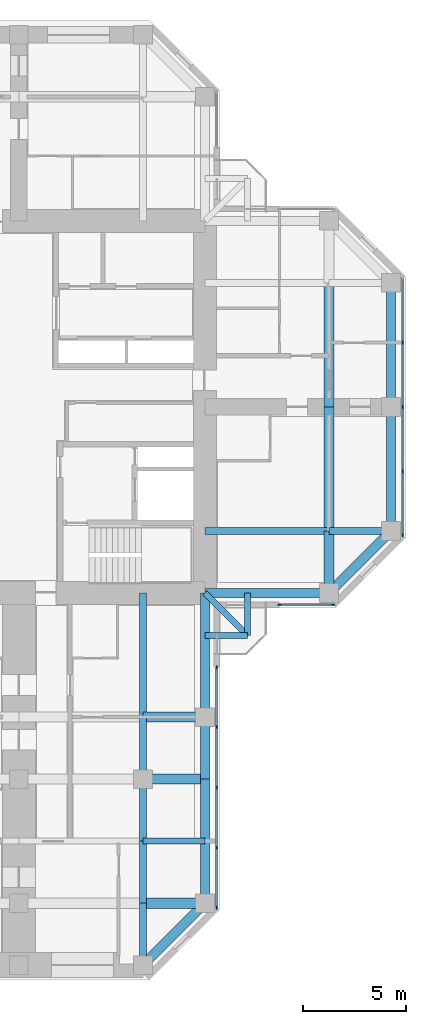
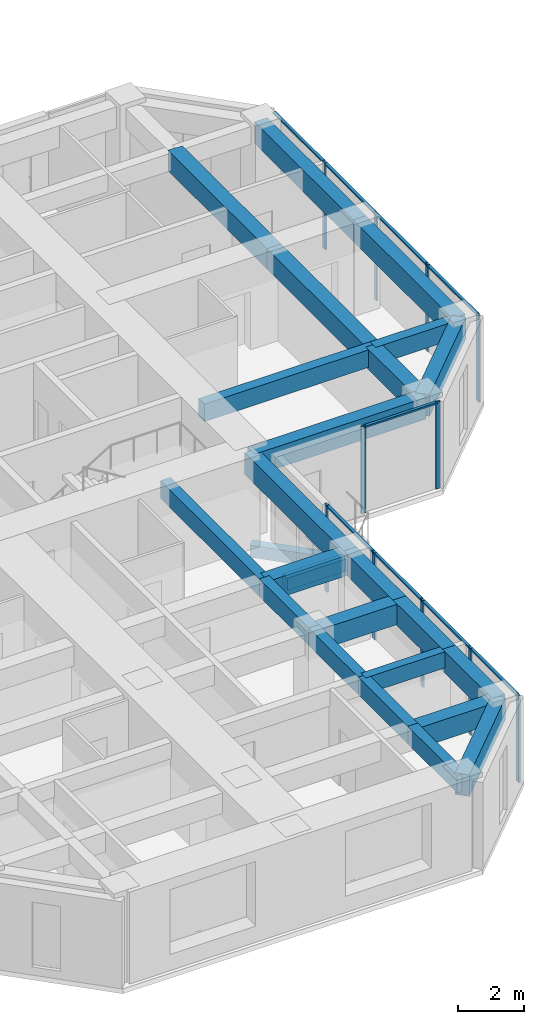
# One storey, part 4 of 14: 26 beams, 20 members, 3 elements without a shape of their own.
"""IFC4 building model written with IfcOpenShell, lengths in metres."""

from ifc_helpers import new_model, si_unit, direction, frame, origin, origin_2d, place, context, subcontext, project, spatial, rectangle, extrude, material, material_profile, profile_set, type_object, element, aggregate, save


model = new_model("IFC4")

# Units and contexts
model_context = context("Model", 3, precision=1e-05, world=origin(), true_north=direction((0.0, 1.0)))
body_context = subcontext(model_context, "Body", "Model", "MODEL_VIEW")
ifc_project = project(units=[si_unit("LENGTHUNIT", "METRE"), si_unit("AREAUNIT", "SQUARE_METRE"), si_unit("VOLUMEUNIT", "CUBIC_METRE"), si_unit("PLANEANGLEUNIT", "RADIAN"), si_unit("MASSUNIT", "GRAM", prefix="KILO")], contexts=[model_context])

# Site, building, storey
site_placement = place(None, origin())
site = spatial("IfcSite", under=ifc_project, at=site_placement, CompositionType="ELEMENT")
building_placement = place(site_placement, origin())
building = spatial("IfcBuilding", under=site, at=building_placement, Name="Torre Cruceta", CompositionType="ELEMENT")
storey_placement = place(building_placement, frame((0.0, 0.0, 203.5)))
storey = spatial("IfcBuildingStorey", under=building, at=storey_placement, Name="L51", CompositionType="ELEMENT", Elevation=203.5)

# Beams
ifc_material_1 = material(Name="Concrete G60 (fck 60 MPa)", Category="concrete")
ifc_material_profile_1 = material_profile(ifc_material_1, rectangle(XDim=0.300048828125, YDim=0.449951171875, at=origin_2d()), Name="RC 300X450")
ifc_profile_set_1 = profile_set([ifc_material_profile_1], Name="Concrete G60 (fck 60 MPa)")
beam_type_1 = type_object("IfcBeamType", Name="BALCONY CANTILEVER BEAM RC 300X450", PredefinedType="BEAM", material=ifc_profile_set_1)
beam_1_placement = place(storey_placement, frame((9.0, -9.0, -0.405029296875), z_axis=(0.707106781187, -0.707106781187, 0.0), x_axis=(0.707106781187, 0.707106781187, 0.0)))
element("IfcBeam", 1, at=beam_1_placement, inside=storey, type_object=beam_type_1, Name="BB1 balcony beam L51 S", PredefinedType="BEAM", context=body_context, shape_type="SweptSolid", body=[
    extrude(rectangle(XDim=0.300048828125, YDim=0.449951171875, at=origin_2d()), origin(), (0.0, 0.0, 1.0), 2.89990234375),
])
for number, where, z_axis, x_axis, name in (
    (2, (11.050537109375, -9.0, -0.405029296875), (0.0, -1.0, 0.0), (1.0, 0.0, 0.0), "BB1 balcony edge beam L51 S-X"),
    (3, (9.0, -11.050537109375, -0.405029296875), (1.0, 0.0, 0.0), (0.0, 1.0, 0.0), "BB1 balcony edge beam L51 S-Y"),
):
    element("IfcBeam", number, at=place(storey_placement, frame(where, z_axis=z_axis, x_axis=x_axis)), inside=storey, type_object=beam_type_1, Name=name, PredefinedType="BEAM", context=body_context, shape_type="SweptSolid", body=[
        extrude(rectangle(XDim=0.300048828125, YDim=0.449951171875, at=origin_2d()), origin(), (0.0, 0.0, 1.0), 2.050537109375),
    ])
ifc_material_2 = material(Name="Concrete G60 (fck 60 MPa)", Category="concrete")
ifc_material_profile_2 = material_profile(ifc_material_2, rectangle(XDim=0.35009765625, YDim=0.64990234375, at=origin_2d()), Name="RC 350X650")
ifc_profile_set_2 = profile_set([ifc_material_profile_2], Name="Concrete G60 (fck 60 MPa)")
beam_type_2 = type_object("IfcBeamType", Name="COLUMN LINE BEAM RC 350X650", PredefinedType="BEAM", material=ifc_profile_set_2)
beam_2_placement = place(storey_placement, frame((9.0, -6.0, 2.89501953125), z_axis=(1.0, 0.0, 0.0), x_axis=(0.0, 1.0, 0.0)))
element("IfcBeam", 4, at=beam_2_placement, inside=storey, type_object=beam_type_2, Name="LB7 L51 E col- 1", PredefinedType="BEAM", context=body_context, shape_type="SweptSolid", body=[
    extrude(rectangle(XDim=0.35009765625, YDim=0.64990234375, at=origin_2d()), origin(), (0.0, 0.0, 1.0), 6.0),
])
beam_3_placement = place(storey_placement, frame((15.0, -6.0, 2.89501953125), z_axis=(1.0, 0.0, 0.0), x_axis=(0.0, 1.0, 0.0)))
element("IfcBeam", 5, at=beam_3_placement, inside=storey, type_object=beam_type_2, Name="LB7 L51 E col- 2", PredefinedType="BEAM", context=body_context, shape_type="SweptSolid", body=[
    extrude(rectangle(XDim=0.35009765625, YDim=0.64990234375, at=origin_2d()), origin(), (0.0, 0.0, 1.0), 3.0),
])
beam_4_placement = place(storey_placement, frame((6.0, -9.0, 2.89501953125), z_axis=(0.0, -1.0, 0.0), x_axis=(1.0, 0.0, 0.0)))
element("IfcBeam", 6, at=beam_4_placement, inside=storey, type_object=beam_type_2, Name="LB7 L51 S col+ 1", PredefinedType="BEAM", context=body_context, shape_type="SweptSolid", body=[
    extrude(rectangle(XDim=0.35009765625, YDim=0.64990234375, at=origin_2d()), origin(), (0.0, 0.0, 1.0), 6.0),
])
for number, where, z_axis, x_axis, name in (
    (7, (6.0, -15.0, 2.89501953125), (0.0, -1.0, 0.0), (1.0, 0.0, 0.0), "LB7 L51 S col+ 2"),
    (8, (6.0, -18.0, 2.89501953125), (0.0, -1.0, 0.0), (1.0, 0.0, 0.0), "LB7 L51 S col+ 3"),
    (9, (6.0, -21.0, 2.89501953125), (0.0, -1.0, 0.0), (1.0, 0.0, 0.0), "LB7 L51 S col+ 4"),
    (10, (6.0, -24.0, 2.89501953125), (0.0, -1.0, 0.0), (1.0, 0.0, 0.0), "LB7 L51 S col+ 5"),
):
    element("IfcBeam", number, at=place(storey_placement, frame(where, z_axis=z_axis, x_axis=x_axis)), inside=storey, type_object=beam_type_2, Name=name, PredefinedType="BEAM", context=body_context, shape_type="SweptSolid", body=[
        extrude(rectangle(XDim=0.35009765625, YDim=0.64990234375, at=origin_2d()), origin(), (0.0, 0.0, 1.0), 3.0),
    ])
ifc_material_3 = material(Name="Concrete G60 (fck 60 MPa)", Category="concrete")
ifc_material_profile_3 = material_profile(ifc_material_3, rectangle(XDim=0.5, YDim=0.75, at=origin_2d()), Name="RC 500X750")
ifc_profile_set_3 = profile_set([ifc_material_profile_3], Name="Concrete G60 (fck 60 MPa)")
beam_type_3 = type_object("IfcBeamType", Name="CROSS BEAM RC 500X750", PredefinedType="BEAM", material=ifc_profile_set_3)
beam_5_placement = place(storey_placement, frame((15.0, -9.0, 2.844970703125), z_axis=(0.0, 1.0, 0.0), x_axis=(-1.0, 0.0, 0.0)))
element("IfcBeam", 11, at=beam_5_placement, inside=storey, type_object=beam_type_3, Name="GB6 L51 E cross15 1", PredefinedType="BEAM", context=body_context, shape_type="SweptSolid", body=[
    extrude(rectangle(XDim=0.5, YDim=0.75, at=origin_2d()), origin(), (0.0, 0.0, 1.0), 3.0),
])
for number, where, z_axis, x_axis, name in (
    (12, (15.0, -6.0, 2.844970703125), (0.0, 1.0, 0.0), (-1.0, 0.0, 0.0), "GB6 L51 E cross15 2"),
    (13, (15.0, 0.0, 2.844970703125), (0.0, 1.0, 0.0), (-1.0, 0.0, 0.0), "GB6 L51 E cross15 3"),
):
    element("IfcBeam", number, at=place(storey_placement, frame(where, z_axis=z_axis, x_axis=x_axis)), inside=storey, type_object=beam_type_3, Name=name, PredefinedType="BEAM", context=body_context, shape_type="SweptSolid", body=[
        extrude(rectangle(XDim=0.5, YDim=0.75, at=origin_2d()), origin(), (0.0, 0.0, 1.0), 6.0),
    ])
for number, where, z_axis, x_axis, name in (
    (14, (6.0, -15.0, 2.844970703125), (1.0, 0.0, 0.0), (0.0, 1.0, 0.0), "GB6 L51 S cross15 4"),
    (15, (6.0, -18.0, 2.844970703125), (1.0, 0.0, 0.0), (0.0, 1.0, 0.0), "GB6 L51 S cross18 4"),
    (16, (6.0, -24.0, 2.844970703125), (1.0, 0.0, 0.0), (0.0, 1.0, 0.0), "GB6 L51 S cross24 4"),
):
    element("IfcBeam", number, at=place(storey_placement, frame(where, z_axis=z_axis, x_axis=x_axis)), inside=storey, type_object=beam_type_3, Name=name, PredefinedType="BEAM", context=body_context, shape_type="SweptSolid", body=[
        extrude(rectangle(XDim=0.5, YDim=0.75, at=origin_2d()), origin(), (0.0, 0.0, 1.0), 3.0),
    ])

# Curtain wall, members
ifc_material_4 = material(Name="Aluminium unitised curtain wall", Category="aluminium")
curtain_wall_type = type_object("IfcCurtainWallType", Name="CURTAIN WALL CW-C CO-LIVING", PredefinedType="USERDEFINED", material=ifc_material_4)
curtain_wall_1_placement = place(storey_placement, origin())
curtain_wall_1 = element("IfcCurtainWall", 17, at=curtain_wall_1_placement, inside=storey, type_object=curtain_wall_type, Name="CW-C L51 E side 00", ObjectType="UNITISED", PredefinedType="USERDEFINED")
ifc_material_5 = material(Name="Aluminium mullion", Category="aluminium")
ifc_material_profile_4 = material_profile(ifc_material_5, rectangle(XDim=0.06005859375, YDim=0.159912109375, at=origin_2d()), Name="AL 60X160")
ifc_profile_set_4 = profile_set([ifc_material_profile_4], Name="Aluminium mullion")
member_type_1 = type_object("IfcMemberType", Name="CW-C MULLION 60X160", PredefinedType="MULLION", material=ifc_profile_set_4)
member_1_placement = place(storey_placement, frame((12.60009765625, -9.570068359375, 0.0), z_axis=(0.0, 0.0, 1.0), x_axis=(0.0, 1.0, 0.0)))
member_1 = element("IfcMember", 18, at=member_1_placement, type_object=member_type_1, Name="CW-C mullion 1", PredefinedType="MULLION", context=body_context, shape_type="SweptSolid", body=[
    extrude(rectangle(XDim=0.06005859375, YDim=0.159912109375, at=origin_2d()), origin(), (0.0, 0.0, 1.0), 3.219970703125),
])
member_2_placement = place(storey_placement, frame((15.2060546875, -9.570068359375, 0.0), z_axis=(0.0, 0.0, 1.0), x_axis=(0.0, 1.0, 0.0)))
member_2 = element("IfcMember", 19, at=member_2_placement, type_object=member_type_1, Name="CW-C mullion 2", PredefinedType="MULLION", context=body_context, shape_type="SweptSolid", body=[
    extrude(rectangle(XDim=0.06005859375, YDim=0.159912109375, at=origin_2d()), origin(), (0.0, 0.0, 1.0), 3.219970703125),
])

curtain_wall_2_placement = place(storey_placement, origin())
curtain_wall_2 = element("IfcCurtainWall", 20, at=curtain_wall_2_placement, inside=storey, type_object=curtain_wall_type, Name="CW-C L51 E tip 02", ObjectType="UNITISED", PredefinedType="USERDEFINED")
member_3_placement = place(storey_placement, frame((18.570068359375, -6.2060546875, 0.0), z_axis=(0.0, 0.0, 1.0), x_axis=(-1.0, 0.0, 0.0)))
member_3 = element("IfcMember", 21, at=member_3_placement, type_object=member_type_1, Name="CW-C mullion 1", PredefinedType="MULLION", context=body_context, shape_type="SweptSolid", body=[
    extrude(rectangle(XDim=0.06005859375, YDim=0.159912109375, at=origin_2d()), origin(), (0.0, 0.0, 1.0), 3.219970703125),
])
member_4_placement = place(storey_placement, frame((18.570068359375, -3.1181640625, 0.0), z_axis=(0.0, 0.0, 1.0), x_axis=(-1.0, 0.0, 0.0)))
member_4 = element("IfcMember", 22, at=member_4_placement, type_object=member_type_1, Name="CW-C mullion 2", PredefinedType="MULLION", context=body_context, shape_type="SweptSolid", body=[
    extrude(rectangle(XDim=0.06005859375, YDim=0.159912109375, at=origin_2d()), origin(), (0.0, 0.0, 1.0), 3.219970703125),
])
member_5_placement = place(storey_placement, frame((18.570068359375, 0.0, 0.0), z_axis=(0.0, 0.0, 1.0), x_axis=(-1.0, 0.0, 0.0)))
member_5 = element("IfcMember", 23, at=member_5_placement, type_object=member_type_1, Name="CW-C mullion 3", PredefinedType="MULLION", context=body_context, shape_type="SweptSolid", body=[
    extrude(rectangle(XDim=0.06005859375, YDim=0.159912109375, at=origin_2d()), origin(), (0.0, 0.0, 1.0), 3.219970703125),
])
member_6_placement = place(storey_placement, frame((18.570068359375, 3.1181640625, 0.0), z_axis=(0.0, 0.0, 1.0), x_axis=(-1.0, 0.0, 0.0)))
member_6 = element("IfcMember", 24, at=member_6_placement, type_object=member_type_1, Name="CW-C mullion 4", PredefinedType="MULLION", context=body_context, shape_type="SweptSolid", body=[
    extrude(rectangle(XDim=0.06005859375, YDim=0.159912109375, at=origin_2d()), origin(), (0.0, 0.0, 1.0), 3.219970703125),
])

curtain_wall_3_placement = place(storey_placement, origin())
curtain_wall_3 = element("IfcCurtainWall", 25, at=curtain_wall_3_placement, inside=storey, type_object=curtain_wall_type, Name="CW-C L51 S side 19", ObjectType="UNITISED", PredefinedType="USERDEFINED")
member_7_placement = place(storey_placement, frame((9.570068359375, -24.2060546875, 0.0), z_axis=(0.0, 0.0, 1.0), x_axis=(-1.0, 0.0, 0.0)))
member_7 = element("IfcMember", 26, at=member_7_placement, type_object=member_type_1, Name="CW-C mullion 1", PredefinedType="MULLION", context=body_context, shape_type="SweptSolid", body=[
    extrude(rectangle(XDim=0.06005859375, YDim=0.159912109375, at=origin_2d()), origin(), (0.0, 0.0, 1.0), 3.219970703125),
])
member_8_placement = place(storey_placement, frame((9.570068359375, -21.319580078125, 0.0), z_axis=(0.0, 0.0, 1.0), x_axis=(-1.0, 0.0, 0.0)))
member_8 = element("IfcMember", 27, at=member_8_placement, type_object=member_type_1, Name="CW-C mullion 2", PredefinedType="MULLION", context=body_context, shape_type="SweptSolid", body=[
    extrude(rectangle(XDim=0.06005859375, YDim=0.159912109375, at=origin_2d()), origin(), (0.0, 0.0, 1.0), 3.219970703125),
])
member_9_placement = place(storey_placement, frame((9.570068359375, -18.403076171875, 0.0), z_axis=(0.0, 0.0, 1.0), x_axis=(-1.0, 0.0, 0.0)))
member_9 = element("IfcMember", 28, at=member_9_placement, type_object=member_type_1, Name="CW-C mullion 3", PredefinedType="MULLION", context=body_context, shape_type="SweptSolid", body=[
    extrude(rectangle(XDim=0.06005859375, YDim=0.159912109375, at=origin_2d()), origin(), (0.0, 0.0, 1.0), 3.219970703125),
])
member_10_placement = place(storey_placement, frame((9.570068359375, -15.486572265625, 0.0), z_axis=(0.0, 0.0, 1.0), x_axis=(-1.0, 0.0, 0.0)))
member_10 = element("IfcMember", 29, at=member_10_placement, type_object=member_type_1, Name="CW-C mullion 4", PredefinedType="MULLION", context=body_context, shape_type="SweptSolid", body=[
    extrude(rectangle(XDim=0.06005859375, YDim=0.159912109375, at=origin_2d()), origin(), (0.0, 0.0, 1.0), 3.219970703125),
])
member_11_placement = place(storey_placement, frame((9.570068359375, -12.60009765625, 0.0), z_axis=(0.0, 0.0, 1.0), x_axis=(-1.0, 0.0, 0.0)))
member_11 = element("IfcMember", 30, at=member_11_placement, type_object=member_type_1, Name="CW-C mullion 5", PredefinedType="MULLION", context=body_context, shape_type="SweptSolid", body=[
    extrude(rectangle(XDim=0.06005859375, YDim=0.159912109375, at=origin_2d()), origin(), (0.0, 0.0, 1.0), 3.219970703125),
])

# Member
ifc_material_6 = material(Name="Aluminium transom", Category="aluminium")
ifc_material_profile_5 = material_profile(ifc_material_6, rectangle(XDim=0.10009765625, YDim=0.06005859375, at=origin_2d()), Name="AL 100X60")
ifc_profile_set_5 = profile_set([ifc_material_profile_5], Name="Aluminium transom")
member_type_2 = type_object("IfcMemberType", Name="CW-C TRANSOM 60X100", PredefinedType="USERDEFINED", material=ifc_profile_set_5)
member_12_placement = place(storey_placement, frame((12.6298828125, -9.570068359375, 3.18994140625), z_axis=(1.0, 0.0, 0.0), x_axis=(0.0, 1.0, 0.0)))
member_12 = element("IfcMember", 31, at=member_12_placement, type_object=member_type_2, Name="CW-C transom 1", ObjectType="TRANSOM", PredefinedType="USERDEFINED", context=body_context, shape_type="SweptSolid", body=[
    extrude(rectangle(XDim=0.10009765625, YDim=0.06005859375, at=origin_2d()), origin(), (0.0, 0.0, 1.0), 2.546142578125),
])

aggregate(curtain_wall_1, [member_1, member_2, member_12])

member_13_placement = place(storey_placement, frame((18.570068359375, -6.176025390625, 3.18994140625), z_axis=(0.0, 1.0, 0.0), x_axis=(-1.0, 0.0, 0.0)))
member_13 = element("IfcMember", 32, at=member_13_placement, type_object=member_type_2, Name="CW-C transom 1", ObjectType="TRANSOM", PredefinedType="USERDEFINED", context=body_context, shape_type="SweptSolid", body=[
    extrude(rectangle(XDim=0.10009765625, YDim=0.06005859375, at=origin_2d()), origin(), (0.0, 0.0, 1.0), 3.028076171875),
])

member_14_placement = place(storey_placement, frame((18.570068359375, -3.088134765625, 3.18994140625), z_axis=(0.0, 1.0, 0.0), x_axis=(-1.0, 0.0, 0.0)))
member_14 = element("IfcMember", 33, at=member_14_placement, type_object=member_type_2, Name="CW-C transom 2", ObjectType="TRANSOM", PredefinedType="USERDEFINED", context=body_context, shape_type="SweptSolid", body=[
    extrude(rectangle(XDim=0.10009765625, YDim=0.06005859375, at=origin_2d()), origin(), (0.0, 0.0, 1.0), 3.05810546875),
])

member_15_placement = place(storey_placement, frame((18.570068359375, 0.030029296875, 3.18994140625), z_axis=(0.0, 1.0, 0.0), x_axis=(-1.0, 0.0, 0.0)))
member_15 = element("IfcMember", 34, at=member_15_placement, type_object=member_type_2, Name="CW-C transom 3", ObjectType="TRANSOM", PredefinedType="USERDEFINED", context=body_context, shape_type="SweptSolid", body=[
    extrude(rectangle(XDim=0.10009765625, YDim=0.06005859375, at=origin_2d()), origin(), (0.0, 0.0, 1.0), 3.05810546875),
])

member_16_placement = place(storey_placement, frame((18.570068359375, 3.14794921875, 3.18994140625), z_axis=(0.0, 1.0, 0.0), x_axis=(-1.0, 0.0, 0.0)))
member_16 = element("IfcMember", 35, at=member_16_placement, type_object=member_type_2, Name="CW-C transom 4", ObjectType="TRANSOM", PredefinedType="USERDEFINED", context=body_context, shape_type="SweptSolid", body=[
    extrude(rectangle(XDim=0.10009765625, YDim=0.06005859375, at=origin_2d()), origin(), (0.0, 0.0, 1.0), 3.028076171875),
])

aggregate(curtain_wall_2, [member_3, member_4, member_5, member_6, member_13, member_14, member_15, member_16])

member_17_placement = place(storey_placement, frame((9.570068359375, -24.176025390625, 3.18994140625), z_axis=(0.0, 1.0, 0.0), x_axis=(-1.0, 0.0, 0.0)))
member_17 = element("IfcMember", 36, at=member_17_placement, type_object=member_type_2, Name="CW-C transom 1", ObjectType="TRANSOM", PredefinedType="USERDEFINED", context=body_context, shape_type="SweptSolid", body=[
    extrude(rectangle(XDim=0.10009765625, YDim=0.06005859375, at=origin_2d()), origin(), (0.0, 0.0, 1.0), 2.826416015625),
])

member_18_placement = place(storey_placement, frame((9.570068359375, -21.28955078125, 3.18994140625), z_axis=(0.0, 1.0, 0.0), x_axis=(-1.0, 0.0, 0.0)))
member_18 = element("IfcMember", 37, at=member_18_placement, type_object=member_type_2, Name="CW-C transom 2", ObjectType="TRANSOM", PredefinedType="USERDEFINED", context=body_context, shape_type="SweptSolid", body=[
    extrude(rectangle(XDim=0.10009765625, YDim=0.06005859375, at=origin_2d()), origin(), (0.0, 0.0, 1.0), 2.8564453125),
])

member_19_placement = place(storey_placement, frame((9.570068359375, -18.373046875, 3.18994140625), z_axis=(0.0, 1.0, 0.0), x_axis=(-1.0, 0.0, 0.0)))
member_19 = element("IfcMember", 38, at=member_19_placement, type_object=member_type_2, Name="CW-C transom 3", ObjectType="TRANSOM", PredefinedType="USERDEFINED", context=body_context, shape_type="SweptSolid", body=[
    extrude(rectangle(XDim=0.10009765625, YDim=0.06005859375, at=origin_2d()), origin(), (0.0, 0.0, 1.0), 2.8564453125),
])

member_20_placement = place(storey_placement, frame((9.570068359375, -15.45654296875, 3.18994140625), z_axis=(0.0, 1.0, 0.0), x_axis=(-1.0, 0.0, 0.0)))
member_20 = element("IfcMember", 39, at=member_20_placement, type_object=member_type_2, Name="CW-C transom 4", ObjectType="TRANSOM", PredefinedType="USERDEFINED", context=body_context, shape_type="SweptSolid", body=[
    extrude(rectangle(XDim=0.10009765625, YDim=0.06005859375, at=origin_2d()), origin(), (0.0, 0.0, 1.0), 2.82666015625),
])

aggregate(curtain_wall_3, [member_7, member_8, member_9, member_10, member_11, member_17, member_18, member_19, member_20])

# Beams
ifc_material_7 = material(Name="Concrete G60 (fck 60 MPa)", Category="concrete")
ifc_material_profile_6 = material_profile(ifc_material_7, rectangle(XDim=0.300048828125, YDim=0.60009765625, at=origin_2d()), Name="RC 300X600")
ifc_profile_set_6 = profile_set([ifc_material_profile_6], Name="Concrete G60 (fck 60 MPa)")
beam_type_4 = type_object("IfcBeamType", Name="SECONDARY BEAM RC 300X600", PredefinedType="JOIST", material=ifc_profile_set_6)
beam_6_placement = place(storey_placement, frame((6.0, -21.0, 2.919921875), z_axis=(1.0, 0.0, 0.0), x_axis=(0.0, 1.0, 0.0)))
element("IfcBeam", 40, at=beam_6_placement, inside=storey, type_object=beam_type_4, Name="JB6 L51 S sec21 4", PredefinedType="JOIST", context=body_context, shape_type="SweptSolid", body=[
    extrude(rectangle(XDim=0.300048828125, YDim=0.60009765625, at=origin_2d()), origin(), (0.0, 0.0, 1.0), 3.0),
])
ifc_material_8 = material(Name="Concrete G60 (fck 60 MPa)", Category="concrete")
ifc_material_profile_7 = material_profile(ifc_material_8, rectangle(XDim=0.449951171875, YDim=0.800048828125, at=origin_2d()), Name="RC 450X800")
ifc_profile_set_7 = profile_set([ifc_material_profile_7], Name="Concrete G60 (fck 60 MPa)")
beam_type_5 = type_object("IfcBeamType", Name="SPANDREL BEAM RC 450X800", PredefinedType="SPANDREL", material=ifc_profile_set_7)
beam_7_placement = place(storey_placement, frame((9.0, -9.0, 2.820068359375), z_axis=(1.0, 0.0, 0.0), x_axis=(0.0, 1.0, 0.0)))
element("IfcBeam", 41, at=beam_7_placement, inside=storey, type_object=beam_type_5, Name="SB6 L51 E side- 1", PredefinedType="SPANDREL", context=body_context, shape_type="SweptSolid", body=[
    extrude(rectangle(XDim=0.449951171875, YDim=0.800048828125, at=origin_2d()), origin(), (0.0, 0.0, 1.0), 6.0),
])
beam_8_placement = place(storey_placement, frame((15.0, -9.0, 2.820068359375), z_axis=(0.707106781187, 0.707106781187, 0.0), x_axis=(-0.707106781187, 0.707106781187, 0.0)))
element("IfcBeam", 42, at=beam_8_placement, inside=storey, type_object=beam_type_5, Name="SB6 L51 E side- 2", PredefinedType="SPANDREL", context=body_context, shape_type="SweptSolid", body=[
    extrude(rectangle(XDim=0.449951171875, YDim=0.800048828125, at=origin_2d()), origin(), (0.0, 0.0, 1.0), 4.24267578125),
])
for number, where, z_axis, x_axis, name in (
    (43, (18.0, -6.0, 2.820068359375), (0.0, 1.0, 0.0), (-1.0, 0.0, 0.0), "SB6 L51 E tip 1"),
    (44, (18.0, 0.0, 2.820068359375), (0.0, 1.0, 0.0), (-1.0, 0.0, 0.0), "SB6 L51 E tip 2"),
    (45, (9.0, -9.0, 2.820068359375), (0.0, -1.0, 0.0), (1.0, 0.0, 0.0), "SB6 L51 S side+ 1"),
):
    element("IfcBeam", number, at=place(storey_placement, frame(where, z_axis=z_axis, x_axis=x_axis)), inside=storey, type_object=beam_type_5, Name=name, PredefinedType="SPANDREL", context=body_context, shape_type="SweptSolid", body=[
        extrude(rectangle(XDim=0.449951171875, YDim=0.800048828125, at=origin_2d()), origin(), (0.0, 0.0, 1.0), 6.0),
    ])
for number, where, z_axis, x_axis, name in (
    (46, (9.0, -15.0, 2.820068359375), (0.0, -1.0, 0.0), (1.0, 0.0, 0.0), "SB6 L51 S side+ 2"),
    (47, (9.0, -18.0, 2.820068359375), (0.0, -1.0, 0.0), (1.0, 0.0, 0.0), "SB6 L51 S side+ 3"),
    (48, (9.0, -21.0, 2.820068359375), (0.0, -1.0, 0.0), (1.0, 0.0, 0.0), "SB6 L51 S side+ 4"),
):
    element("IfcBeam", number, at=place(storey_placement, frame(where, z_axis=z_axis, x_axis=x_axis)), inside=storey, type_object=beam_type_5, Name=name, PredefinedType="SPANDREL", context=body_context, shape_type="SweptSolid", body=[
        extrude(rectangle(XDim=0.449951171875, YDim=0.800048828125, at=origin_2d()), origin(), (0.0, 0.0, 1.0), 3.0),
    ])
beam_9_placement = place(storey_placement, frame((9.0, -24.0, 2.820068359375), z_axis=(-0.707106781187, -0.707106781187, 0.0), x_axis=(0.707106781187, -0.707106781187, 0.0)))
element("IfcBeam", 49, at=beam_9_placement, inside=storey, type_object=beam_type_5, Name="SB6 L51 S side+ 5", PredefinedType="SPANDREL", context=body_context, shape_type="SweptSolid", body=[
    extrude(rectangle(XDim=0.449951171875, YDim=0.800048828125, at=origin_2d()), origin(), (0.0, 0.0, 1.0), 4.24267578125),
])

save(model, "model.ifc")
